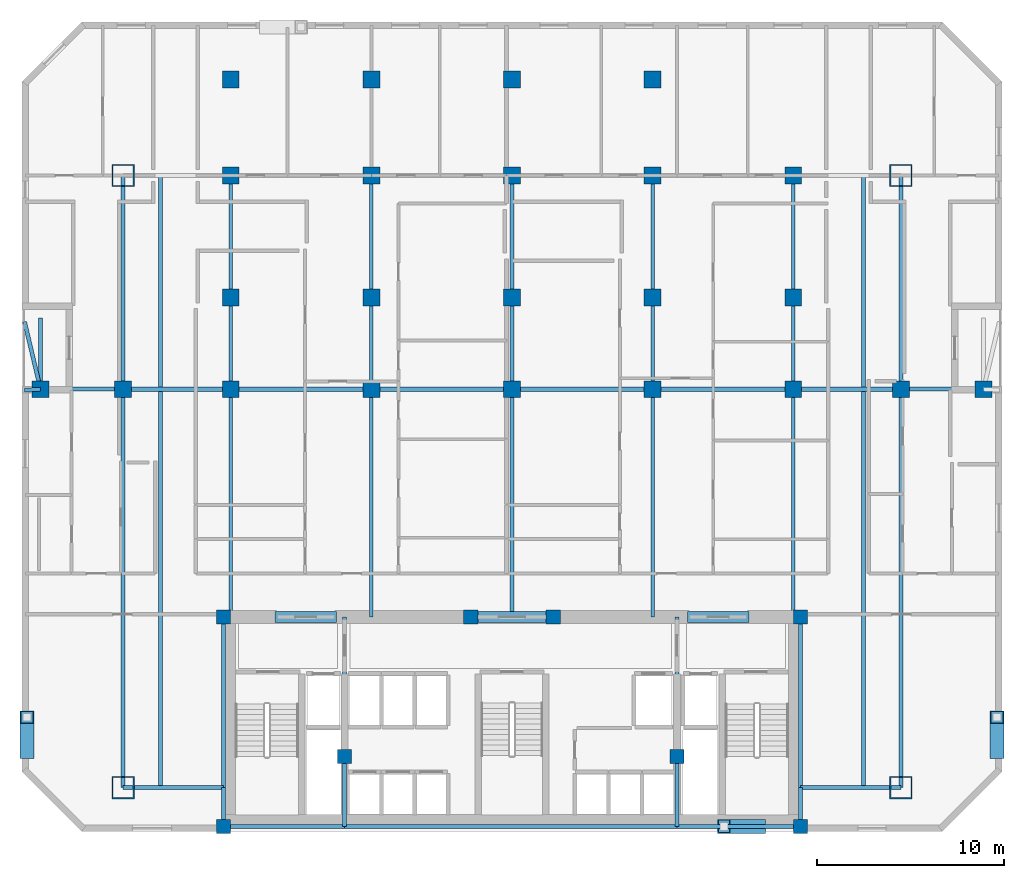
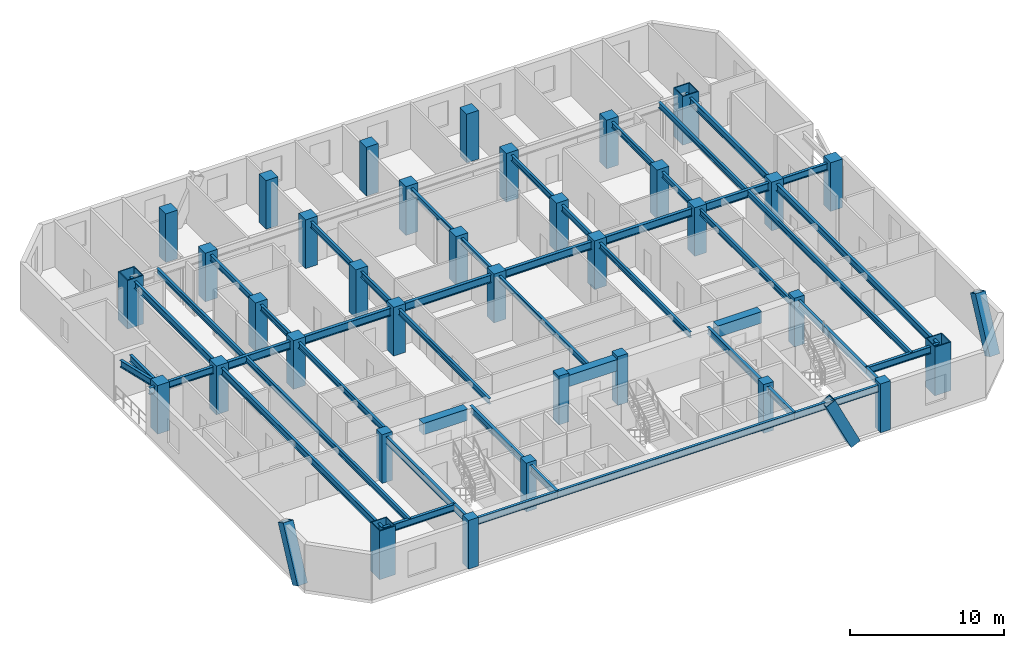
# One storey, part 1 of 10: 45 beams, 35 columns, 3 members.
"""IFC4 building model written with IfcOpenShell, lengths in metres."""

import ifcopenshell
import ifcopenshell.guid

model = None  # the IFC model being written
_history = None  # IfcOwnerHistory: only IFC2X3 demands one
_inside = {}  # id of a spatial element -> (the spatial element, [elements in it])
_under = {}  # id of a project, library or spatial element -> (it, [spatial elements below it])
_declared = {}  # id of a project -> (the project, [libraries it declares])
_typed = {}  # id of a type object -> (the type object, [elements of that type])
_made_of = {}  # id of a material, layer set ... -> (it, [elements and type objects made of it])


def new_model(schema):
    """Start an empty IFC model of exactly this schema.

    Asked for "IFC4X3", IfcOpenShell would pick the latest addendum, in which some entities
    have other attributes; the version numbers below select the first issue.
    IFC2X3 requires an IfcOwnerHistory on every rooted entity: one is made here for all.
    """
    global model, _history
    if schema == "IFC4X3":
        model = ifcopenshell.file(schema_version=(4, 3, 0, 0))
    else:
        model = ifcopenshell.file(schema=schema)
    _inside.clear()
    _under.clear()
    _declared.clear()
    _typed.clear()
    _made_of.clear()
    _history = None
    if model.schema == "IFC2X3":
        org = make("IfcOrganization", Name="unknown")
        user = make(
            "IfcPersonAndOrganization",
            ThePerson=make("IfcPerson", FamilyName="unknown"),
            TheOrganization=org,
        )
        app = make(
            "IfcApplication",
            ApplicationDeveloper=org,
            Version="unknown",
            ApplicationFullName="unknown",
            ApplicationIdentifier="unknown",
        )
        _history = make(
            "IfcOwnerHistory",
            OwningUser=user,
            OwningApplication=app,
            ChangeAction="ADDED",
            CreationDate=0,
        )
    return model


def make(cls, **values):
    """One entity of the class cls with the attributes given. An attribute that is None is left unset."""
    return model.create_entity(
        cls, **{name: value for name, value in values.items() if value is not None}
    )


def rooted(cls, **values):
    """An entity with a GlobalId (a new one), such as an element, a storey or a relation."""
    return make(cls, GlobalId=ifcopenshell.guid.new(), OwnerHistory=_history, **values)


def si_unit(unit_type, name, prefix=None):
    """IfcSIUnit, for example si_unit("LENGTHUNIT", "METRE", prefix="MILLI")."""
    return make("IfcSIUnit", UnitType=unit_type, Prefix=prefix, Name=name)


def assignment(units):
    """IfcUnitAssignment: the units of a project."""
    return None if units is None else make("IfcUnitAssignment", Units=units)


def point(xyz):
    """IfcCartesianPoint."""
    return None if xyz is None else make("IfcCartesianPoint", Coordinates=xyz)


def direction(xyz):
    """IfcDirection."""
    return None if xyz is None else make("IfcDirection", DirectionRatios=xyz)


def frame(location, z_axis=None, x_axis=None):
    """IfcAxis2Placement3D, a coordinate frame: its origin and axes. An axis left out is left unset."""
    return make(
        "IfcAxis2Placement3D",
        Location=point(location),
        Axis=direction(z_axis),
        RefDirection=direction(x_axis),
    )


def frame_2d(location, x_axis=None):
    """IfcAxis2Placement2D, a coordinate frame in the plane: its origin and x axis."""
    return make(
        "IfcAxis2Placement2D", Location=point(location), RefDirection=direction(x_axis)
    )


def origin():
    """The frame at (0, 0, 0) with its axes left unset."""
    return frame((0.0, 0.0, 0.0))


def origin_2d():
    """The frame at (0, 0) in the plane with its x axis left unset."""
    return frame_2d((0.0, 0.0))


def place(relative_to, where):
    """IfcLocalPlacement: puts the frame where relative to a parent placement (None: the world)."""
    return make(
        "IfcLocalPlacement", PlacementRelTo=relative_to, RelativePlacement=where
    )


def context(
    kind, dimensions, precision=None, world=None, true_north=None, identifier=None
):
    """IfcGeometricRepresentationContext, for example the 3D "Model" context."""
    return make(
        "IfcGeometricRepresentationContext",
        ContextIdentifier=identifier,
        ContextType=kind,
        CoordinateSpaceDimension=dimensions,
        Precision=precision,
        WorldCoordinateSystem=world,
        TrueNorth=true_north,
    )


def subcontext(parent, identifier, kind, view, scale=None):
    """IfcGeometricRepresentationSubContext, for example "Body" below "Model"."""
    return make(
        "IfcGeometricRepresentationSubContext",
        ContextIdentifier=identifier,
        ContextType=kind,
        ParentContext=parent,
        TargetScale=scale,
        TargetView=view,
    )


def project(units=None, contexts=None):
    """IfcProject with its units and contexts."""
    return rooted(
        "IfcProject",
        Name="project",
        RepresentationContexts=contexts,
        UnitsInContext=assignment(units),
    )


def spatial(cls, under=None, at=None, **own):
    """A site, building, storey or space (cls), placed at a placement, below another one or the project."""
    s = rooted(cls, ObjectPlacement=at, **own)
    if under is not None:
        _under.setdefault(under.id(), (under, []))[1].append(s)
    return s


def profile(cls, at=None, kind="AREA", **sizes):
    """A parametric profile (cls). Its sizes go by their IFC names, for example OverallWidth=200.0."""
    return make(cls, ProfileType=kind, Position=at, **sizes)


def rectangle(**sizes):
    """IfcRectangleProfileDef."""
    return profile("IfcRectangleProfileDef", **sizes)


def hollow_rectangle(**sizes):
    """IfcRectangleHollowProfileDef."""
    return profile("IfcRectangleHollowProfileDef", **sizes)


def i_section(**sizes):
    """IfcIShapeProfileDef."""
    return profile("IfcIShapeProfileDef", **sizes)


def extrude(swept, where, along, depth):
    """IfcExtrudedAreaSolid: the profile swept, set in the frame where, extruded along a direction by depth."""
    return make(
        "IfcExtrudedAreaSolid",
        SweptArea=swept,
        Position=where,
        ExtrudedDirection=direction(along),
        Depth=depth,
    )


def shape(context_of_items, identifier, shape_type, items):
    """IfcShapeRepresentation: the items that make up one representation, for example the "Body"."""
    return make(
        "IfcShapeRepresentation",
        ContextOfItems=context_of_items,
        RepresentationIdentifier=identifier,
        RepresentationType=shape_type,
        Items=items,
    )


def material(Name=None, Category=None):
    """IfcMaterial."""
    return make("IfcMaterial", Name=Name, Category=Category)


def material_profile(
    of_material, cross_section, Name=None, Category=None, Priority=None
):
    """IfcMaterialProfile: a cross section and its material."""
    return make(
        "IfcMaterialProfile",
        Name=Name,
        Material=of_material,
        Profile=cross_section,
        Priority=Priority,
        Category=Category,
    )


def profile_set(profiles, Name=None, composite=None):
    """IfcMaterialProfileSet."""
    return make(
        "IfcMaterialProfileSet",
        Name=Name,
        MaterialProfiles=profiles,
        CompositeProfile=composite,
    )


def made_of(thing, what):
    """Note that an element or type object is made of a material, layer set ...; save() writes the relation."""
    if what is not None:
        _made_of.setdefault(what.id(), (what, []))[1].append(thing)
    return thing


def type_object(cls, material=None, **own):
    """A type object (cls), such as IfcWallType, which elements share."""
    return made_of(rooted(cls, **own), material)


def element(
    cls,
    number,
    at=None,
    inside=None,
    cuts=None,
    type_object=None,
    material=None,
    context=None,
    identifier="Body",
    shape_type=None,
    held_by="IfcProductDefinitionShape",
    body=None,
    shapes=None,
    **own,
):
    """One element of the class cls, such as IfcWall. Its Tag is "e" and its number.

    at: its placement. inside: the storey or other place that contains it. cuts: it is an
    opening in that element (IfcRelVoidsElement). A single representation is given by context,
    identifier, shape_type and body (its items); several are given by shapes. held_by: the class
    of the entity that holds the representations. save() writes the other relations.
    """
    e = rooted(cls, Tag="e%d" % number, ObjectPlacement=at, **own)
    if body is not None:
        shapes = [shape(context, identifier, shape_type, body)]
    if shapes is not None:
        e.Representation = make(held_by, Representations=shapes)
    if inside is not None:
        _inside.setdefault(inside.id(), (inside, []))[1].append(e)
    if cuts is not None:
        rooted(
            "IfcRelVoidsElement", RelatingBuildingElement=cuts, RelatedOpeningElement=e
        )
    if type_object is not None:
        _typed.setdefault(type_object.id(), (type_object, []))[1].append(e)
    return made_of(e, material)


def aggregate(whole, parts):
    """IfcRelAggregates: a whole, such as a stair, and the parts it consists of."""
    return rooted("IfcRelAggregates", RelatingObject=whole, RelatedObjects=parts)


def save(model, path):
    """Write the relations noted so far, then the file.

    IfcRelAggregates (storeys below a building ...), IfcRelContainedInSpatialStructure (elements
    in a storey), IfcRelDefinesByType, IfcRelAssociatesMaterial and IfcRelDeclares: one each for
    every whole, place, type object, material and project.
    """
    for whole, parts in _under.values():
        aggregate(whole, parts)
    for where, things in _inside.values():
        rooted(
            "IfcRelContainedInSpatialStructure",
            RelatedElements=things,
            RelatingStructure=where,
        )
    for kind, things in _typed.values():
        rooted("IfcRelDefinesByType", RelatedObjects=things, RelatingType=kind)
    for what, things in _made_of.values():
        rooted("IfcRelAssociatesMaterial", RelatedObjects=things, RelatingMaterial=what)
    for by, libraries in _declared.values():
        rooted("IfcRelDeclares", RelatingContext=by, RelatedDefinitions=libraries)
    model.write(path)


model = new_model("IFC4")

# Units and contexts
model_context = context("Model", 3, precision=1e-05, world=origin(), true_north=direction((0.0, 1.0)))
body_context = subcontext(model_context, "Body", "Model", "MODEL_VIEW")
ifc_project = project(units=[si_unit("LENGTHUNIT", "METRE"), si_unit("AREAUNIT", "SQUARE_METRE"), si_unit("VOLUMEUNIT", "CUBIC_METRE"), si_unit("PLANEANGLEUNIT", "RADIAN"), si_unit("MASSUNIT", "GRAM", prefix="KILO")], contexts=[model_context])

# Site, building, storey
site_placement = place(None, origin())
site = spatial("IfcSite", under=ifc_project, at=site_placement, CompositionType="ELEMENT")
building_placement = place(site_placement, origin())
building = spatial("IfcBuilding", under=site, at=building_placement, Name="Ventersveld Concourse Tower", CompositionType="ELEMENT")
storey_placement = place(building_placement, frame((0.0, 0.0, 96.449951171875)))
storey = spatial("IfcBuildingStorey", under=building, at=storey_placement, Name="L23", CompositionType="ELEMENT", Elevation=96.449951171875)

# Columns
ifc_material_1 = material(Name="Concrete C50/60", Category="concrete")
ifc_material_profile_1 = material_profile(ifc_material_1, rectangle(XDim=0.75, YDim=0.75, at=origin_2d()), Name="RC 750x750")
ifc_profile_set_1 = profile_set([ifc_material_profile_1], Name="Concrete C50/60")
column_type_1 = type_object("IfcColumnType", Name="COL-RC750", PredefinedType="COLUMN", material=ifc_profile_set_1)
for number, where, z_axis, x_axis, name in (
    (1, (13.35009765625, 0.280029296875, 0.0), (0.0, 0.0, 1.0), (1.0, 0.0, 0.0), "L23 Core Spine Column CC-SW"),
    (2, (44.14990234375, 0.280029296875, 0.0), (0.0, 0.0, 1.0), (1.0, 0.0, 0.0), "L23 Core Spine Column CC-SE"),
    (3, (13.35009765625, 11.449951171875, 0.0), (0.0, 0.0, 1.0), (1.0, 0.0, 0.0), "L23 Core Spine Column CC-NW"),
    (4, (44.14990234375, 11.449951171875, 0.0), (0.0, 0.0, 1.0), (1.0, 0.0, 0.0), "L23 Core Spine Column CC-NE"),
    (5, (19.820068359375, 4.0, 0.0), (0.0, 0.0, 1.0), (1.0, 0.0, 0.0), "L23 Core Spine Column CM-1"),
    (6, (37.550048828125, 4.0, 0.0), (0.0, 0.0, 1.0), (1.0, 0.0, 0.0), "L23 Core Spine Column CM-2"),
    (7, (26.550048828125, 11.449951171875, 0.0), (0.0, 0.0, 1.0), (1.0, 0.0, 0.0), "L23 Core Spine Column CM-3"),
    (8, (30.949951171875, 11.449951171875, 0.0), (0.0, 0.0, 1.0), (1.0, 0.0, 0.0), "L23 Core Spine Column CM-4"),
):
    element("IfcColumn", number, at=place(storey_placement, frame(where, z_axis=z_axis, x_axis=x_axis)), inside=storey, type_object=column_type_1, Name=name, PredefinedType="COLUMN", context=body_context, shape_type="SweptSolid", body=[
        extrude(rectangle(XDim=0.75, YDim=0.75, at=origin_2d()), origin(), (0.0, 0.0, 1.0), 3.85009765625),
    ])
ifc_material_2 = material(Name="Concrete C60/75", Category="concrete")
ifc_material_profile_2 = material_profile(ifc_material_2, rectangle(XDim=0.89990234375, YDim=0.89990234375, at=origin_2d()), Name="RC 900x900")
ifc_profile_set_2 = profile_set([ifc_material_profile_2], Name="Concrete C60/75")
column_type_2 = type_object("IfcColumnType", Name="COL-RC900", PredefinedType="COLUMN", material=ifc_profile_set_2)
for number, where, z_axis, x_axis, name in (
    (9, (3.60009765625, 23.60009765625, 0.0), (0.0, 0.0, 1.0), (1.0, 0.0, 0.0), "L23 Interior Gravity Column X=3.60 Y=23.60"),
    (10, (8.0, 23.60009765625, 0.0), (0.0, 0.0, 1.0), (1.0, 0.0, 0.0), "L23 Interior Gravity Column X=8.00 Y=23.60"),
    (11, (13.75, 23.60009765625, 0.0), (0.0, 0.0, 1.0), (1.0, 0.0, 0.0), "L23 Interior Gravity Column X=13.75 Y=23.60"),
    (12, (21.25, 23.60009765625, 0.0), (0.0, 0.0, 1.0), (1.0, 0.0, 0.0), "L23 Interior Gravity Column X=21.25 Y=23.60"),
    (13, (28.75, 23.60009765625, 0.0), (0.0, 0.0, 1.0), (1.0, 0.0, 0.0), "L23 Interior Gravity Column X=28.75 Y=23.60"),
    (14, (36.25, 23.60009765625, 0.0), (0.0, 0.0, 1.0), (1.0, 0.0, 0.0), "L23 Interior Gravity Column X=36.25 Y=23.60"),
    (15, (43.75, 23.60009765625, 0.0), (0.0, 0.0, 1.0), (1.0, 0.0, 0.0), "L23 Interior Gravity Column X=43.75 Y=23.60"),
    (16, (49.5, 23.60009765625, 0.0), (0.0, 0.0, 1.0), (1.0, 0.0, 0.0), "L23 Interior Gravity Column X=49.50 Y=23.60"),
    (17, (53.89990234375, 23.60009765625, 0.0), (0.0, 0.0, 1.0), (1.0, 0.0, 0.0), "L23 Interior Gravity Column X=53.90 Y=23.60"),
    (18, (13.75, 28.5, 0.0), (0.0, 0.0, 1.0), (1.0, 0.0, 0.0), "L23 Upper-North Gravity Column X=13.75 Y=28.50"),
    (19, (21.25, 28.5, 0.0), (0.0, 0.0, 1.0), (1.0, 0.0, 0.0), "L23 Upper-North Gravity Column X=21.25 Y=28.50"),
    (20, (28.75, 28.5, 0.0), (0.0, 0.0, 1.0), (1.0, 0.0, 0.0), "L23 Upper-North Gravity Column X=28.75 Y=28.50"),
    (21, (36.25, 28.5, 0.0), (0.0, 0.0, 1.0), (1.0, 0.0, 0.0), "L23 Upper-North Gravity Column X=36.25 Y=28.50"),
    (22, (43.75, 28.5, 0.0), (0.0, 0.0, 1.0), (1.0, 0.0, 0.0), "L23 Upper-North Gravity Column X=43.75 Y=28.50"),
    (23, (13.75, 40.1201171875, 0.0), (0.0, 0.0, 1.0), (1.0, 0.0, 0.0), "L23 North Brace Node Column X=13.75 Y=40.12"),
    (24, (21.25, 40.1201171875, 0.0), (0.0, 0.0, 1.0), (1.0, 0.0, 0.0), "L23 North Brace Node Column X=21.25 Y=40.12"),
    (25, (28.75, 40.1201171875, 0.0), (0.0, 0.0, 1.0), (1.0, 0.0, 0.0), "L23 North Brace Node Column X=28.75 Y=40.12"),
    (26, (36.25, 40.1201171875, 0.0), (0.0, 0.0, 1.0), (1.0, 0.0, 0.0), "L23 North Brace Node Column X=36.25 Y=40.12"),
    (27, (13.75, 35.0, 0.0), (0.0, 0.0, 1.0), (1.0, 0.0, 0.0), "L23 Mid-North Column X=13.75 Y=35.00"),
    (28, (21.25, 35.0, 0.0), (0.0, 0.0, 1.0), (1.0, 0.0, 0.0), "L23 Mid-North Column X=21.25 Y=35.00"),
    (29, (28.75, 35.0, 0.0), (0.0, 0.0, 1.0), (1.0, 0.0, 0.0), "L23 Mid-North Column X=28.75 Y=35.00"),
    (30, (36.25, 35.0, 0.0), (0.0, 0.0, 1.0), (1.0, 0.0, 0.0), "L23 Mid-North Column X=36.25 Y=35.00"),
    (31, (43.75, 35.0, 0.0), (0.0, 0.0, 1.0), (1.0, 0.0, 0.0), "L23 Mid-North Column X=43.75 Y=35.00"),
):
    element("IfcColumn", number, at=place(storey_placement, frame(where, z_axis=z_axis, x_axis=x_axis)), inside=storey, type_object=column_type_2, Name=name, PredefinedType="COLUMN", context=body_context, shape_type="SweptSolid", body=[
        extrude(rectangle(XDim=0.89990234375, YDim=0.89990234375, at=origin_2d()), origin(), (0.0, 0.0, 1.0), 3.85009765625),
    ])
ifc_material_3 = material(Name="Structural steel S460ML", Category="steel")
ifc_material_profile_3 = material_profile(ifc_material_3, hollow_rectangle(XDim=1.199951171875, YDim=1.199951171875, WallThickness=0.070068359375, at=origin_2d()), Name="BOX 1200x1200x70")
ifc_profile_set_3 = profile_set([ifc_material_profile_3], Name="Structural steel S460ML")
column_type_3 = type_object("IfcColumnType", Name="MC-1200", PredefinedType="USERDEFINED", material=ifc_profile_set_3)
for number, where, z_axis, x_axis, name in (
    (32, (8.0, 2.35009765625, 0.0), (0.0, 0.0, 1.0), (1.0, 0.0, 0.0), "L23 Corner Mega-Column MC-SW"),
    (33, (49.5, 2.35009765625, 0.0), (0.0, 0.0, 1.0), (1.0, 0.0, 0.0), "L23 Corner Mega-Column MC-SE"),
    (34, (49.5, 35.0, 0.0), (0.0, 0.0, 1.0), (1.0, 0.0, 0.0), "L23 Corner Mega-Column MC-NE"),
    (35, (8.0, 35.0, 0.0), (0.0, 0.0, 1.0), (1.0, 0.0, 0.0), "L23 Corner Mega-Column MC-NW"),
):
    element("IfcColumn", number, at=place(storey_placement, frame(where, z_axis=z_axis, x_axis=x_axis)), inside=storey, type_object=column_type_3, Name=name, ObjectType="MEGA_COLUMN", PredefinedType="USERDEFINED", context=body_context, shape_type="SweptSolid", body=[
        extrude(hollow_rectangle(XDim=1.199951171875, YDim=1.199951171875, WallThickness=0.070068359375, at=origin_2d()), origin(), (0.0, 0.0, 1.0), 3.85009765625),
    ])

# Beams
ifc_material_4 = material(Name="Structural steel S355J2", Category="steel")
ifc_material_profile_4 = material_profile(ifc_material_4, i_section(OverallWidth=0.18994140625, OverallDepth=0.453369140625, WebThickness=0.008544921875, FlangeThickness=0.0126953125, FilletRadius=0.01025390625, at=origin_2d()), Name="UB 457x191x67")
ifc_profile_set_4 = profile_set([ifc_material_profile_4], Name="Structural steel S355J2")
beam_type_1 = type_object("IfcBeamType", Name="BM-UB457", PredefinedType="BEAM", material=ifc_profile_set_4)
beam_1_placement = place(storey_placement, frame((10.0, 2.35009765625, 3.373291015625), z_axis=(0.0, 1.0, 0.0), x_axis=(-1.0, 0.0, 0.0)))
element("IfcBeam", 36, at=beam_1_placement, inside=storey, type_object=beam_type_1, Name="L23 N-S Composite Floor Beam South X=10.00", PredefinedType="BEAM", context=body_context, shape_type="SweptSolid", body=[
    extrude(i_section(OverallWidth=0.18994140625, OverallDepth=0.453369140625, WebThickness=0.008544921875, FlangeThickness=0.0126953125, FilletRadius=0.01025390625, at=origin_2d()), origin(), (0.0, 0.0, 1.0), 21.15478515625),
])
beam_2_placement = place(storey_placement, frame((10.0, 23.695068359375, 3.373291015625), z_axis=(0.0, 1.0, 0.0), x_axis=(-1.0, 0.0, 0.0)))
element("IfcBeam", 37, at=beam_2_placement, inside=storey, type_object=beam_type_1, Name="L23 N-S Composite Floor Beam Mid X=10.00", PredefinedType="BEAM", context=body_context, shape_type="SweptSolid", body=[
    extrude(i_section(OverallWidth=0.18994140625, OverallDepth=0.453369140625, WebThickness=0.008544921875, FlangeThickness=0.0126953125, FilletRadius=0.01025390625, at=origin_2d()), origin(), (0.0, 0.0, 1.0), 11.304931640625),
])
beam_3_placement = place(storey_placement, frame((13.75, 11.449951171875, 3.373291015625), z_axis=(0.0, 1.0, 0.0), x_axis=(-1.0, 0.0, 0.0)))
element("IfcBeam", 38, at=beam_3_placement, inside=storey, type_object=beam_type_1, Name="L23 N-S Composite Floor Beam South X=13.75", PredefinedType="BEAM", context=body_context, shape_type="SweptSolid", body=[
    extrude(i_section(OverallWidth=0.18994140625, OverallDepth=0.453369140625, WebThickness=0.008544921875, FlangeThickness=0.0126953125, FilletRadius=0.01025390625, at=origin_2d()), origin(), (0.0, 0.0, 1.0), 12.150146484375),
])
beam_4_placement = place(storey_placement, frame((13.75, 23.60009765625, 3.373291015625), z_axis=(0.0, 1.0, 0.0), x_axis=(-1.0, 0.0, 0.0)))
element("IfcBeam", 39, at=beam_4_placement, inside=storey, type_object=beam_type_1, Name="L23 N-S Composite Floor Beam Mid X=13.75", PredefinedType="BEAM", context=body_context, shape_type="SweptSolid", body=[
    extrude(i_section(OverallWidth=0.18994140625, OverallDepth=0.453369140625, WebThickness=0.008544921875, FlangeThickness=0.0126953125, FilletRadius=0.01025390625, at=origin_2d()), origin(), (0.0, 0.0, 1.0), 11.39990234375),
])
beam_5_placement = place(storey_placement, frame((21.25, 11.449951171875, 3.373291015625), z_axis=(0.0, 1.0, 0.0), x_axis=(-1.0, 0.0, 0.0)))
element("IfcBeam", 40, at=beam_5_placement, inside=storey, type_object=beam_type_1, Name="L23 N-S Composite Floor Beam South X=21.25", PredefinedType="BEAM", context=body_context, shape_type="SweptSolid", body=[
    extrude(i_section(OverallWidth=0.18994140625, OverallDepth=0.453369140625, WebThickness=0.008544921875, FlangeThickness=0.0126953125, FilletRadius=0.01025390625, at=origin_2d()), origin(), (0.0, 0.0, 1.0), 12.150146484375),
])
beam_6_placement = place(storey_placement, frame((21.25, 23.60009765625, 3.373291015625), z_axis=(0.0, 1.0, 0.0), x_axis=(-1.0, 0.0, 0.0)))
element("IfcBeam", 41, at=beam_6_placement, inside=storey, type_object=beam_type_1, Name="L23 N-S Composite Floor Beam Mid X=21.25", PredefinedType="BEAM", context=body_context, shape_type="SweptSolid", body=[
    extrude(i_section(OverallWidth=0.18994140625, OverallDepth=0.453369140625, WebThickness=0.008544921875, FlangeThickness=0.0126953125, FilletRadius=0.01025390625, at=origin_2d()), origin(), (0.0, 0.0, 1.0), 11.39990234375),
])
beam_7_placement = place(storey_placement, frame((28.75, 11.449951171875, 3.373291015625), z_axis=(0.0, 1.0, 0.0), x_axis=(-1.0, 0.0, 0.0)))
element("IfcBeam", 42, at=beam_7_placement, inside=storey, type_object=beam_type_1, Name="L23 N-S Composite Floor Beam South X=28.75", PredefinedType="BEAM", context=body_context, shape_type="SweptSolid", body=[
    extrude(i_section(OverallWidth=0.18994140625, OverallDepth=0.453369140625, WebThickness=0.008544921875, FlangeThickness=0.0126953125, FilletRadius=0.01025390625, at=origin_2d()), origin(), (0.0, 0.0, 1.0), 12.150146484375),
])
beam_8_placement = place(storey_placement, frame((28.75, 23.60009765625, 3.373291015625), z_axis=(0.0, 1.0, 0.0), x_axis=(-1.0, 0.0, 0.0)))
element("IfcBeam", 43, at=beam_8_placement, inside=storey, type_object=beam_type_1, Name="L23 N-S Composite Floor Beam Mid X=28.75", PredefinedType="BEAM", context=body_context, shape_type="SweptSolid", body=[
    extrude(i_section(OverallWidth=0.18994140625, OverallDepth=0.453369140625, WebThickness=0.008544921875, FlangeThickness=0.0126953125, FilletRadius=0.01025390625, at=origin_2d()), origin(), (0.0, 0.0, 1.0), 11.39990234375),
])
beam_9_placement = place(storey_placement, frame((36.25, 11.449951171875, 3.373291015625), z_axis=(0.0, 1.0, 0.0), x_axis=(-1.0, 0.0, 0.0)))
element("IfcBeam", 44, at=beam_9_placement, inside=storey, type_object=beam_type_1, Name="L23 N-S Composite Floor Beam South X=36.25", PredefinedType="BEAM", context=body_context, shape_type="SweptSolid", body=[
    extrude(i_section(OverallWidth=0.18994140625, OverallDepth=0.453369140625, WebThickness=0.008544921875, FlangeThickness=0.0126953125, FilletRadius=0.01025390625, at=origin_2d()), origin(), (0.0, 0.0, 1.0), 12.150146484375),
])
beam_10_placement = place(storey_placement, frame((36.25, 23.60009765625, 3.373291015625), z_axis=(0.0, 1.0, 0.0), x_axis=(-1.0, 0.0, 0.0)))
element("IfcBeam", 45, at=beam_10_placement, inside=storey, type_object=beam_type_1, Name="L23 N-S Composite Floor Beam Mid X=36.25", PredefinedType="BEAM", context=body_context, shape_type="SweptSolid", body=[
    extrude(i_section(OverallWidth=0.18994140625, OverallDepth=0.453369140625, WebThickness=0.008544921875, FlangeThickness=0.0126953125, FilletRadius=0.01025390625, at=origin_2d()), origin(), (0.0, 0.0, 1.0), 11.39990234375),
])
beam_11_placement = place(storey_placement, frame((43.75, 11.449951171875, 3.373291015625), z_axis=(0.0, 1.0, 0.0), x_axis=(-1.0, 0.0, 0.0)))
element("IfcBeam", 46, at=beam_11_placement, inside=storey, type_object=beam_type_1, Name="L23 N-S Composite Floor Beam South X=43.75", PredefinedType="BEAM", context=body_context, shape_type="SweptSolid", body=[
    extrude(i_section(OverallWidth=0.18994140625, OverallDepth=0.453369140625, WebThickness=0.008544921875, FlangeThickness=0.0126953125, FilletRadius=0.01025390625, at=origin_2d()), origin(), (0.0, 0.0, 1.0), 12.150146484375),
])
beam_12_placement = place(storey_placement, frame((43.75, 23.60009765625, 3.373291015625), z_axis=(0.0, 1.0, 0.0), x_axis=(-1.0, 0.0, 0.0)))
element("IfcBeam", 47, at=beam_12_placement, inside=storey, type_object=beam_type_1, Name="L23 N-S Composite Floor Beam Mid X=43.75", PredefinedType="BEAM", context=body_context, shape_type="SweptSolid", body=[
    extrude(i_section(OverallWidth=0.18994140625, OverallDepth=0.453369140625, WebThickness=0.008544921875, FlangeThickness=0.0126953125, FilletRadius=0.01025390625, at=origin_2d()), origin(), (0.0, 0.0, 1.0), 11.39990234375),
])
beam_13_placement = place(storey_placement, frame((47.5, 2.35009765625, 3.373291015625), z_axis=(0.0, 1.0, 0.0), x_axis=(-1.0, 0.0, 0.0)))
element("IfcBeam", 48, at=beam_13_placement, inside=storey, type_object=beam_type_1, Name="L23 N-S Composite Floor Beam South X=47.50", PredefinedType="BEAM", context=body_context, shape_type="SweptSolid", body=[
    extrude(i_section(OverallWidth=0.18994140625, OverallDepth=0.453369140625, WebThickness=0.008544921875, FlangeThickness=0.0126953125, FilletRadius=0.01025390625, at=origin_2d()), origin(), (0.0, 0.0, 1.0), 21.15478515625),
])
beam_14_placement = place(storey_placement, frame((47.5, 23.695068359375, 3.373291015625), z_axis=(0.0, 1.0, 0.0), x_axis=(-1.0, 0.0, 0.0)))
element("IfcBeam", 49, at=beam_14_placement, inside=storey, type_object=beam_type_1, Name="L23 N-S Composite Floor Beam Mid X=47.50", PredefinedType="BEAM", context=body_context, shape_type="SweptSolid", body=[
    extrude(i_section(OverallWidth=0.18994140625, OverallDepth=0.453369140625, WebThickness=0.008544921875, FlangeThickness=0.0126953125, FilletRadius=0.01025390625, at=origin_2d()), origin(), (0.0, 0.0, 1.0), 11.304931640625),
])
ifc_material_profile_5 = material_profile(ifc_material_2, rectangle(XDim=0.60009765625, YDim=0.89990234375, at=origin_2d()), Name="RC 600x900")
ifc_profile_set_5 = profile_set([ifc_material_profile_5], Name="Concrete C60/75")
beam_type_2 = type_object("IfcBeamType", Name="CB-RC600x900L", PredefinedType="LINTEL", material=ifc_profile_set_5)
beam_15_placement = place(storey_placement, frame((16.10009765625, 11.449951171875, 3.150146484375), z_axis=(1.0, 0.0, 0.0), x_axis=(0.0, 1.0, 0.0)))
element("IfcBeam", 50, at=beam_15_placement, inside=storey, type_object=beam_type_2, Name="L23 Core Coupling Lintel Beam 1", PredefinedType="LINTEL", context=body_context, shape_type="SweptSolid", body=[
    extrude(rectangle(XDim=0.60009765625, YDim=0.89990234375, at=origin_2d()), origin(), (0.0, 0.0, 1.0), 3.2998046875),
])
beam_16_placement = place(storey_placement, frame((26.5, 11.449951171875, 3.150146484375), z_axis=(1.0, 0.0, 0.0), x_axis=(0.0, 1.0, 0.0)))
element("IfcBeam", 51, at=beam_16_placement, inside=storey, type_object=beam_type_2, Name="L23 Core Coupling Lintel Beam 2", PredefinedType="LINTEL", context=body_context, shape_type="SweptSolid", body=[
    extrude(rectangle(XDim=0.60009765625, YDim=0.89990234375, at=origin_2d()), origin(), (0.0, 0.0, 1.0), 4.5),
])
beam_17_placement = place(storey_placement, frame((38.10009765625, 11.449951171875, 3.150146484375), z_axis=(1.0, 0.0, 0.0), x_axis=(0.0, 1.0, 0.0)))
element("IfcBeam", 52, at=beam_17_placement, inside=storey, type_object=beam_type_2, Name="L23 Core Coupling Lintel Beam 3", PredefinedType="LINTEL", context=body_context, shape_type="SweptSolid", body=[
    extrude(rectangle(XDim=0.60009765625, YDim=0.89990234375, at=origin_2d()), origin(), (0.0, 0.0, 1.0), 3.2998046875),
])
ifc_material_profile_6 = material_profile(ifc_material_4, i_section(OverallWidth=0.2119140625, OverallDepth=0.54443359375, WebThickness=0.0126953125, FlangeThickness=0.021240234375, FilletRadius=0.0126953125, at=origin_2d()), Name="UB 533x210x122")
ifc_profile_set_6 = profile_set([ifc_material_profile_6], Name="Structural steel S355J2")
beam_type_3 = type_object("IfcBeamType", Name="GRD-UB533H", PredefinedType="T_BEAM", material=ifc_profile_set_6)
beam_18_placement = place(storey_placement, frame((13.35009765625, 0.280029296875, 3.32763671875), z_axis=(0.0, 1.0, 0.0), x_axis=(-1.0, 0.0, 0.0)))
element("IfcBeam", 53, at=beam_18_placement, inside=storey, type_object=beam_type_3, Name="L23 Core West Tie Beam S", PredefinedType="T_BEAM", context=body_context, shape_type="SweptSolid", body=[
    extrude(i_section(OverallWidth=0.2119140625, OverallDepth=0.54443359375, WebThickness=0.0126953125, FlangeThickness=0.021240234375, FilletRadius=0.0126953125, at=origin_2d()), origin(), (0.0, 0.0, 1.0), 2.070068359375),
])
beam_19_placement = place(storey_placement, frame((13.35009765625, 2.35009765625, 3.32763671875), z_axis=(0.0, 1.0, 0.0), x_axis=(-1.0, 0.0, 0.0)))
element("IfcBeam", 54, at=beam_19_placement, inside=storey, type_object=beam_type_3, Name="L23 Core West Tie Beam N", PredefinedType="T_BEAM", context=body_context, shape_type="SweptSolid", body=[
    extrude(i_section(OverallWidth=0.2119140625, OverallDepth=0.54443359375, WebThickness=0.0126953125, FlangeThickness=0.021240234375, FilletRadius=0.0126953125, at=origin_2d()), origin(), (0.0, 0.0, 1.0), 9.099853515625),
])
beam_20_placement = place(storey_placement, frame((44.14990234375, 0.280029296875, 3.32763671875), z_axis=(0.0, 1.0, 0.0), x_axis=(-1.0, 0.0, 0.0)))
element("IfcBeam", 55, at=beam_20_placement, inside=storey, type_object=beam_type_3, Name="L23 Core East Tie Beam S", PredefinedType="T_BEAM", context=body_context, shape_type="SweptSolid", body=[
    extrude(i_section(OverallWidth=0.2119140625, OverallDepth=0.54443359375, WebThickness=0.0126953125, FlangeThickness=0.021240234375, FilletRadius=0.0126953125, at=origin_2d()), origin(), (0.0, 0.0, 1.0), 2.070068359375),
])
beam_21_placement = place(storey_placement, frame((44.14990234375, 2.35009765625, 3.32763671875), z_axis=(0.0, 1.0, 0.0), x_axis=(-1.0, 0.0, 0.0)))
element("IfcBeam", 56, at=beam_21_placement, inside=storey, type_object=beam_type_3, Name="L23 Core East Tie Beam N", PredefinedType="T_BEAM", context=body_context, shape_type="SweptSolid", body=[
    extrude(i_section(OverallWidth=0.2119140625, OverallDepth=0.54443359375, WebThickness=0.0126953125, FlangeThickness=0.021240234375, FilletRadius=0.0126953125, at=origin_2d()), origin(), (0.0, 0.0, 1.0), 9.099853515625),
])
beam_22_placement = place(storey_placement, frame((13.35009765625, 0.280029296875, 3.32763671875), z_axis=(1.0, 0.0, 0.0), x_axis=(0.0, 1.0, 0.0)))
element("IfcBeam", 57, at=beam_22_placement, inside=storey, type_object=beam_type_3, Name="L23 Core South Tie Beam W", PredefinedType="T_BEAM", context=body_context, shape_type="SweptSolid", body=[
    extrude(i_section(OverallWidth=0.2119140625, OverallDepth=0.54443359375, WebThickness=0.0126953125, FlangeThickness=0.021240234375, FilletRadius=0.0126953125, at=origin_2d()), origin(), (0.0, 0.0, 1.0), 6.469970703125),
])
beam_23_placement = place(storey_placement, frame((19.820068359375, 0.280029296875, 3.32763671875), z_axis=(1.0, 0.0, 0.0), x_axis=(0.0, 1.0, 0.0)))
element("IfcBeam", 58, at=beam_23_placement, inside=storey, type_object=beam_type_3, Name="L23 Core South Tie Beam C", PredefinedType="T_BEAM", context=body_context, shape_type="SweptSolid", body=[
    extrude(i_section(OverallWidth=0.2119140625, OverallDepth=0.54443359375, WebThickness=0.0126953125, FlangeThickness=0.021240234375, FilletRadius=0.0126953125, at=origin_2d()), origin(), (0.0, 0.0, 1.0), 17.72998046875),
])
beam_24_placement = place(storey_placement, frame((37.550048828125, 0.280029296875, 3.32763671875), z_axis=(1.0, 0.0, 0.0), x_axis=(0.0, 1.0, 0.0)))
element("IfcBeam", 59, at=beam_24_placement, inside=storey, type_object=beam_type_3, Name="L23 Core South Tie Beam E", PredefinedType="T_BEAM", context=body_context, shape_type="SweptSolid", body=[
    extrude(i_section(OverallWidth=0.2119140625, OverallDepth=0.54443359375, WebThickness=0.0126953125, FlangeThickness=0.021240234375, FilletRadius=0.0126953125, at=origin_2d()), origin(), (0.0, 0.0, 1.0), 6.599853515625),
])
beam_25_placement = place(storey_placement, frame((19.820068359375, 0.280029296875, 3.32763671875), z_axis=(0.0, 1.0, 0.0), x_axis=(-1.0, 0.0, 0.0)))
element("IfcBeam", 60, at=beam_25_placement, inside=storey, type_object=beam_type_3, Name="L23 Core Spine N-S Tie Beam W1", PredefinedType="T_BEAM", context=body_context, shape_type="SweptSolid", body=[
    extrude(i_section(OverallWidth=0.2119140625, OverallDepth=0.54443359375, WebThickness=0.0126953125, FlangeThickness=0.021240234375, FilletRadius=0.0126953125, at=origin_2d()), origin(), (0.0, 0.0, 1.0), 3.719970703125),
])
beam_26_placement = place(storey_placement, frame((19.820068359375, 4.0, 3.32763671875), z_axis=(0.0, 1.0, 0.0), x_axis=(-1.0, 0.0, 0.0)))
element("IfcBeam", 61, at=beam_26_placement, inside=storey, type_object=beam_type_3, Name="L23 Core Spine N-S Tie Beam W2", PredefinedType="T_BEAM", context=body_context, shape_type="SweptSolid", body=[
    extrude(i_section(OverallWidth=0.2119140625, OverallDepth=0.54443359375, WebThickness=0.0126953125, FlangeThickness=0.021240234375, FilletRadius=0.0126953125, at=origin_2d()), origin(), (0.0, 0.0, 1.0), 7.449951171875),
])
beam_27_placement = place(storey_placement, frame((37.550048828125, 0.280029296875, 3.32763671875), z_axis=(0.0, 1.0, 0.0), x_axis=(-1.0, 0.0, 0.0)))
element("IfcBeam", 62, at=beam_27_placement, inside=storey, type_object=beam_type_3, Name="L23 Core Spine N-S Tie Beam E1", PredefinedType="T_BEAM", context=body_context, shape_type="SweptSolid", body=[
    extrude(i_section(OverallWidth=0.2119140625, OverallDepth=0.54443359375, WebThickness=0.0126953125, FlangeThickness=0.021240234375, FilletRadius=0.0126953125, at=origin_2d()), origin(), (0.0, 0.0, 1.0), 3.719970703125),
])
beam_28_placement = place(storey_placement, frame((37.550048828125, 4.0, 3.32763671875), z_axis=(0.0, 1.0, 0.0), x_axis=(-1.0, 0.0, 0.0)))
element("IfcBeam", 63, at=beam_28_placement, inside=storey, type_object=beam_type_3, Name="L23 Core Spine N-S Tie Beam E2", PredefinedType="T_BEAM", context=body_context, shape_type="SweptSolid", body=[
    extrude(i_section(OverallWidth=0.2119140625, OverallDepth=0.54443359375, WebThickness=0.0126953125, FlangeThickness=0.021240234375, FilletRadius=0.0126953125, at=origin_2d()), origin(), (0.0, 0.0, 1.0), 7.449951171875),
])
ifc_material_profile_7 = material_profile(ifc_material_4, i_section(OverallWidth=0.230224609375, OverallDepth=0.6171875, WebThickness=0.01318359375, FlangeThickness=0.022216796875, FilletRadius=0.0126953125, at=origin_2d()), Name="UB 610x229x140")
ifc_profile_set_7 = profile_set([ifc_material_profile_7], Name="Structural steel S355J2")
beam_type_4 = type_object("IfcBeamType", Name="GRD-UB610", PredefinedType="USERDEFINED", material=ifc_profile_set_7)
beam_29_placement = place(storey_placement, frame((8.0, 23.60009765625, 3.29150390625), z_axis=(1.0, 0.0, 0.0), x_axis=(0.0, 1.0, 0.0)))
element("IfcBeam", 64, at=beam_29_placement, inside=storey, type_object=beam_type_4, Name="L23 Primary E-W Grid Girder Y=23.60 #1", ObjectType="GIRDER", PredefinedType="USERDEFINED", context=body_context, shape_type="SweptSolid", body=[
    extrude(i_section(OverallWidth=0.230224609375, OverallDepth=0.6171875, WebThickness=0.01318359375, FlangeThickness=0.022216796875, FilletRadius=0.0126953125, at=origin_2d()), origin(), (0.0, 0.0, 1.0), 5.75),
])
for number, where, z_axis, x_axis, name in (
    (65, (13.75, 23.60009765625, 3.29150390625), (1.0, 0.0, 0.0), (0.0, 1.0, 0.0), "L23 Primary E-W Grid Girder Y=23.60 #2"),
    (66, (21.25, 23.60009765625, 3.29150390625), (1.0, 0.0, 0.0), (0.0, 1.0, 0.0), "L23 Primary E-W Grid Girder Y=23.60 #3"),
    (67, (28.75, 23.60009765625, 3.29150390625), (1.0, 0.0, 0.0), (0.0, 1.0, 0.0), "L23 Primary E-W Grid Girder Y=23.60 #4"),
    (68, (36.25, 23.60009765625, 3.29150390625), (1.0, 0.0, 0.0), (0.0, 1.0, 0.0), "L23 Primary E-W Grid Girder Y=23.60 #5"),
):
    element("IfcBeam", number, at=place(storey_placement, frame(where, z_axis=z_axis, x_axis=x_axis)), inside=storey, type_object=beam_type_4, Name=name, ObjectType="GIRDER", PredefinedType="USERDEFINED", context=body_context, shape_type="SweptSolid", body=[
        extrude(i_section(OverallWidth=0.230224609375, OverallDepth=0.6171875, WebThickness=0.01318359375, FlangeThickness=0.022216796875, FilletRadius=0.0126953125, at=origin_2d()), origin(), (0.0, 0.0, 1.0), 7.5),
    ])
beam_30_placement = place(storey_placement, frame((43.75, 23.60009765625, 3.29150390625), z_axis=(1.0, 0.0, 0.0), x_axis=(0.0, 1.0, 0.0)))
element("IfcBeam", 69, at=beam_30_placement, inside=storey, type_object=beam_type_4, Name="L23 Primary E-W Grid Girder Y=23.60 #6", ObjectType="GIRDER", PredefinedType="USERDEFINED", context=body_context, shape_type="SweptSolid", body=[
    extrude(i_section(OverallWidth=0.230224609375, OverallDepth=0.6171875, WebThickness=0.01318359375, FlangeThickness=0.022216796875, FilletRadius=0.0126953125, at=origin_2d()), origin(), (0.0, 0.0, 1.0), 5.75),
])

# Members
ifc_material_5 = material(Name="Structural steel S355ML", Category="steel")
ifc_material_profile_8 = material_profile(ifc_material_5, hollow_rectangle(XDim=0.75, YDim=0.75, WallThickness=0.044921875, at=origin_2d()), Name="BOX 750x750x45")
ifc_profile_set_8 = profile_set([ifc_material_profile_8], Name="Structural steel S355ML")
member_type = type_object("IfcMemberType", Name="MB-750x750", PredefinedType="BRACE", material=ifc_profile_set_8)
for number, where, z_axis, x_axis, name in (
    (70, (41.925048828125, 0.280029296875, -0.25), (-0.437839464193, 0.0, 0.899053170616), (0.0, -1.0, 0.0), "L23 Exterior Mega-Brace S (Module M05)"),
    (71, (2.8798828125, 4.22509765625, -0.25), (0.0, 0.437839464193, 0.899053170616), (-1.0, 0.0, 0.0), "L23 Exterior Mega-Brace W (Module M05)"),
    (72, (54.6201171875, 4.22509765625, -0.25), (0.0, 0.437839464193, 0.899053170616), (-1.0, 0.0, 0.0), "L23 Exterior Mega-Brace E (Module M05)"),
):
    element("IfcMember", number, at=place(storey_placement, frame(where, z_axis=z_axis, x_axis=x_axis)), inside=storey, type_object=member_type, Name=name, PredefinedType="BRACE", context=body_context, shape_type="SweptSolid", body=[
        extrude(hollow_rectangle(XDim=0.75, YDim=0.75, WallThickness=0.044921875, at=origin_2d()), origin(), (0.0, 0.0, 1.0), 4.282470703125),
    ])

# Beams
ifc_material_profile_9 = material_profile(ifc_material_4, i_section(OverallWidth=0.2119140625, OverallDepth=0.54443359375, WebThickness=0.0126953125, FlangeThickness=0.021240234375, FilletRadius=0.0126953125, at=origin_2d()), Name="UB 533x210x122")
ifc_profile_set_9 = profile_set([ifc_material_profile_9], Name="Structural steel S355J2")
beam_type_5 = type_object("IfcBeamType", Name="SPD-UB533", PredefinedType="SPANDREL", material=ifc_profile_set_9)
for number, where, z_axis, x_axis, name in (
    (73, (8.0, 2.35009765625, 3.32763671875), (1.0, 0.0, 0.0), (0.0, 1.0, 0.0), "L23 SW Spandrel Beam"),
    (74, (44.14990234375, 2.35009765625, 3.32763671875), (1.0, 0.0, 0.0), (0.0, 1.0, 0.0), "L23 SE Spandrel Beam"),
):
    element("IfcBeam", number, at=place(storey_placement, frame(where, z_axis=z_axis, x_axis=x_axis)), inside=storey, type_object=beam_type_5, Name=name, PredefinedType="SPANDREL", context=body_context, shape_type="SweptSolid", body=[
        extrude(i_section(OverallWidth=0.2119140625, OverallDepth=0.54443359375, WebThickness=0.0126953125, FlangeThickness=0.021240234375, FilletRadius=0.0126953125, at=origin_2d()), origin(), (0.0, 0.0, 1.0), 5.35009765625),
    ])
beam_31_placement = place(storey_placement, frame((8.0, 2.35009765625, 3.32763671875), z_axis=(0.0, 1.0, 0.0), x_axis=(-1.0, 0.0, 0.0)))
element("IfcBeam", 75, at=beam_31_placement, inside=storey, type_object=beam_type_5, Name="L23 West Spandrel Beam S", PredefinedType="SPANDREL", context=body_context, shape_type="SweptSolid", body=[
    extrude(i_section(OverallWidth=0.2119140625, OverallDepth=0.54443359375, WebThickness=0.0126953125, FlangeThickness=0.021240234375, FilletRadius=0.0126953125, at=origin_2d()), origin(), (0.0, 0.0, 1.0), 21.25),
])
beam_32_placement = place(storey_placement, frame((8.0, 23.60009765625, 3.32763671875), z_axis=(0.0, 1.0, 0.0), x_axis=(-1.0, 0.0, 0.0)))
element("IfcBeam", 76, at=beam_32_placement, inside=storey, type_object=beam_type_5, Name="L23 West Spandrel Beam N", PredefinedType="SPANDREL", context=body_context, shape_type="SweptSolid", body=[
    extrude(i_section(OverallWidth=0.2119140625, OverallDepth=0.54443359375, WebThickness=0.0126953125, FlangeThickness=0.021240234375, FilletRadius=0.0126953125, at=origin_2d()), origin(), (0.0, 0.0, 1.0), 11.39990234375),
])
beam_33_placement = place(storey_placement, frame((49.5, 2.35009765625, 3.32763671875), z_axis=(0.0, 1.0, 0.0), x_axis=(-1.0, 0.0, 0.0)))
element("IfcBeam", 77, at=beam_33_placement, inside=storey, type_object=beam_type_5, Name="L23 East Spandrel Beam S", PredefinedType="SPANDREL", context=body_context, shape_type="SweptSolid", body=[
    extrude(i_section(OverallWidth=0.2119140625, OverallDepth=0.54443359375, WebThickness=0.0126953125, FlangeThickness=0.021240234375, FilletRadius=0.0126953125, at=origin_2d()), origin(), (0.0, 0.0, 1.0), 21.25),
])
beam_34_placement = place(storey_placement, frame((49.5, 23.60009765625, 3.32763671875), z_axis=(0.0, 1.0, 0.0), x_axis=(-1.0, 0.0, 0.0)))
element("IfcBeam", 78, at=beam_34_placement, inside=storey, type_object=beam_type_5, Name="L23 East Spandrel Beam N", PredefinedType="SPANDREL", context=body_context, shape_type="SweptSolid", body=[
    extrude(i_section(OverallWidth=0.2119140625, OverallDepth=0.54443359375, WebThickness=0.0126953125, FlangeThickness=0.021240234375, FilletRadius=0.0126953125, at=origin_2d()), origin(), (0.0, 0.0, 1.0), 11.39990234375),
])
beam_35_placement = place(storey_placement, frame((3.60009765625, 23.60009765625, 3.32763671875), z_axis=(0.0, 1.0, 0.0), x_axis=(-1.0, 0.0, 0.0)))
element("IfcBeam", 79, at=beam_35_placement, inside=storey, type_object=beam_type_5, Name="L23 West Valley Spine Girder", PredefinedType="SPANDREL", context=body_context, shape_type="SweptSolid", body=[
    extrude(i_section(OverallWidth=0.2119140625, OverallDepth=0.54443359375, WebThickness=0.0126953125, FlangeThickness=0.021240234375, FilletRadius=0.0126953125, at=origin_2d()), origin(), (0.0, 0.0, 1.0), 3.7998046875),
])
beam_36_placement = place(storey_placement, frame((3.60009765625, 23.60009765625, 3.32763671875), z_axis=(1.0, 0.0, 0.0), x_axis=(0.0, 1.0, 0.0)))
element("IfcBeam", 80, at=beam_36_placement, inside=storey, type_object=beam_type_5, Name="L23 West Valley Tie S", PredefinedType="SPANDREL", context=body_context, shape_type="SweptSolid", body=[
    extrude(i_section(OverallWidth=0.2119140625, OverallDepth=0.54443359375, WebThickness=0.0126953125, FlangeThickness=0.021240234375, FilletRadius=0.0126953125, at=origin_2d()), origin(), (0.0, 0.0, 1.0), 4.39990234375),
])
beam_37_placement = place(storey_placement, frame((2.75, 23.550048828125, 3.32763671875), z_axis=(0.998271406093, 0.058772440623, 0.0), x_axis=(-0.058772440623, 0.998271406093, 0.0)))
element("IfcBeam", 81, at=beam_37_placement, inside=storey, type_object=beam_type_5, Name="L23 West Valley Corner Bracket 1", PredefinedType="SPANDREL", context=body_context, shape_type="SweptSolid", body=[
    extrude(i_section(OverallWidth=0.2119140625, OverallDepth=0.54443359375, WebThickness=0.0126953125, FlangeThickness=0.021240234375, FilletRadius=0.0126953125, at=origin_2d()), origin(), (0.0, 0.0, 1.0), 0.8515625),
])
beam_38_placement = place(storey_placement, frame((2.75, 27.199951171875, 3.32763671875), z_axis=(0.229826547993, -0.973231605445, 0.0), x_axis=(0.973231605445, 0.229826547993, 0.0)))
element("IfcBeam", 82, at=beam_38_placement, inside=storey, type_object=beam_type_5, Name="L23 West Valley Corner Bracket 2", PredefinedType="SPANDREL", context=body_context, shape_type="SweptSolid", body=[
    extrude(i_section(OverallWidth=0.2119140625, OverallDepth=0.54443359375, WebThickness=0.0126953125, FlangeThickness=0.021240234375, FilletRadius=0.0126953125, at=origin_2d()), origin(), (0.0, 0.0, 1.0), 3.698974609375),
])
beam_39_placement = place(storey_placement, frame((49.5, 23.60009765625, 3.32763671875), z_axis=(1.0, 0.0, 0.0), x_axis=(0.0, 1.0, 0.0)))
element("IfcBeam", 83, at=beam_39_placement, inside=storey, type_object=beam_type_5, Name="L23 East Valley Tie S", PredefinedType="SPANDREL", context=body_context, shape_type="SweptSolid", body=[
    extrude(i_section(OverallWidth=0.2119140625, OverallDepth=0.54443359375, WebThickness=0.0126953125, FlangeThickness=0.021240234375, FilletRadius=0.0126953125, at=origin_2d()), origin(), (0.0, 0.0, 1.0), 4.39990234375),
])

save(model, "model.ifc")
